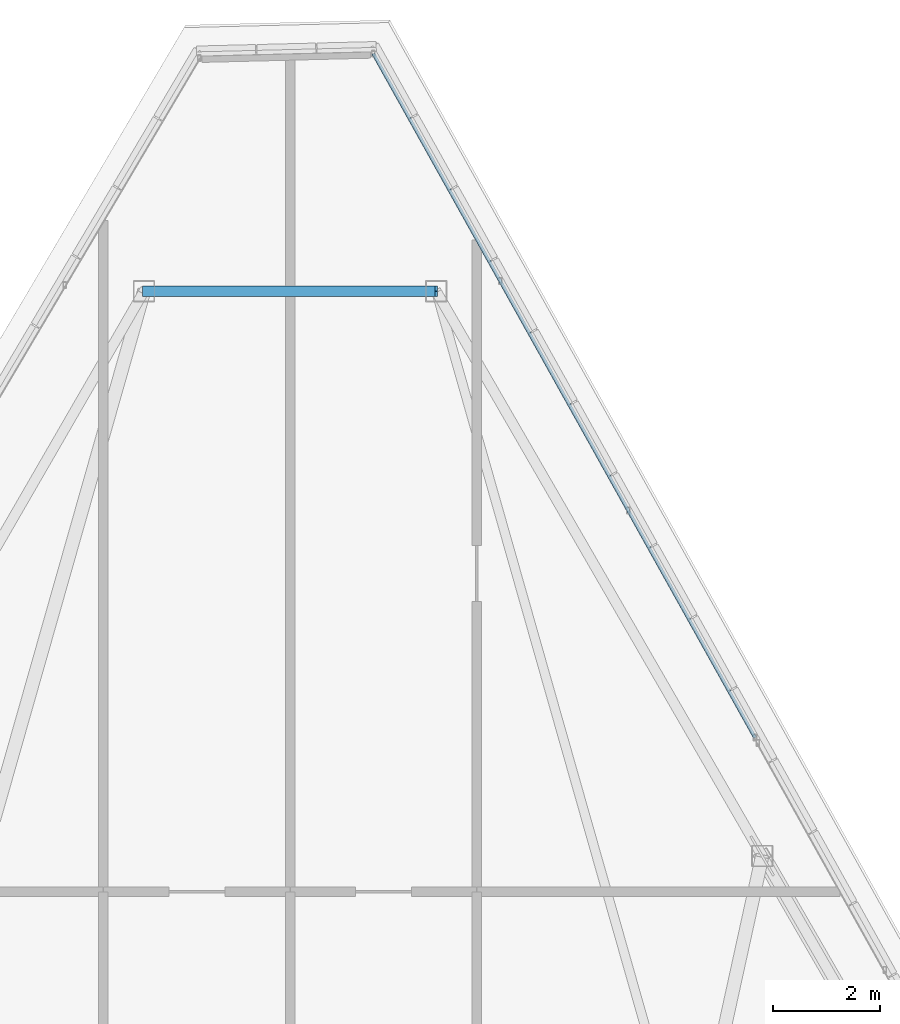
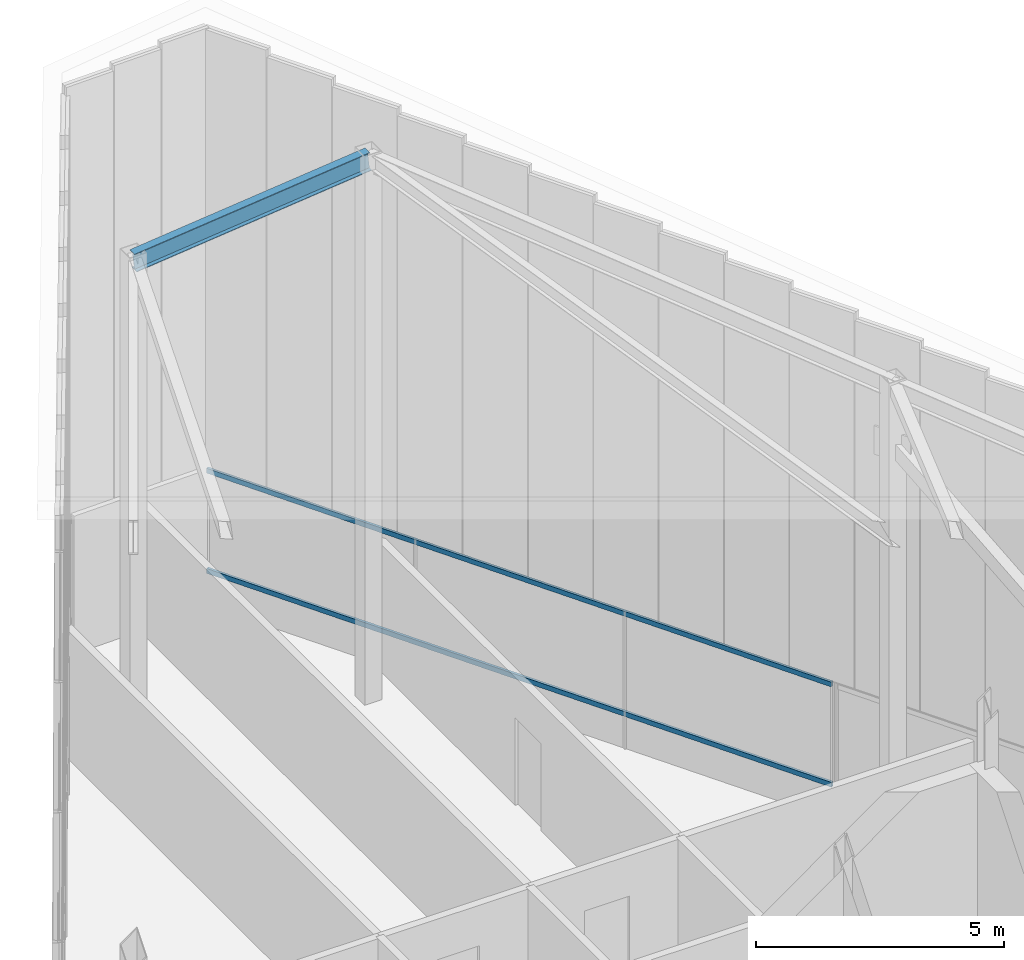
# One storey, part 41 of 50: 2 members, 1 beam, 1 element without a shape of its own.
"""IFC4 building model written with IfcOpenShell, lengths in metres."""

import ifcopenshell
import ifcopenshell.guid

model = None  # the IFC model being written
_history = None  # IfcOwnerHistory: only IFC2X3 demands one
_inside = {}  # id of a spatial element -> (the spatial element, [elements in it])
_under = {}  # id of a project, library or spatial element -> (it, [spatial elements below it])
_declared = {}  # id of a project -> (the project, [libraries it declares])
_typed = {}  # id of a type object -> (the type object, [elements of that type])
_made_of = {}  # id of a material, layer set ... -> (it, [elements and type objects made of it])


def new_model(schema):
    """Start an empty IFC model of exactly this schema.

    Asked for "IFC4X3", IfcOpenShell would pick the latest addendum, in which some entities
    have other attributes; the version numbers below select the first issue.
    IFC2X3 requires an IfcOwnerHistory on every rooted entity: one is made here for all.
    """
    global model, _history
    if schema == "IFC4X3":
        model = ifcopenshell.file(schema_version=(4, 3, 0, 0))
    else:
        model = ifcopenshell.file(schema=schema)
    _inside.clear()
    _under.clear()
    _declared.clear()
    _typed.clear()
    _made_of.clear()
    _history = None
    if model.schema == "IFC2X3":
        org = make("IfcOrganization", Name="unknown")
        user = make(
            "IfcPersonAndOrganization",
            ThePerson=make("IfcPerson", FamilyName="unknown"),
            TheOrganization=org,
        )
        app = make(
            "IfcApplication",
            ApplicationDeveloper=org,
            Version="unknown",
            ApplicationFullName="unknown",
            ApplicationIdentifier="unknown",
        )
        _history = make(
            "IfcOwnerHistory",
            OwningUser=user,
            OwningApplication=app,
            ChangeAction="ADDED",
            CreationDate=0,
        )
    return model


def make(cls, **values):
    """One entity of the class cls with the attributes given. An attribute that is None is left unset."""
    return model.create_entity(
        cls, **{name: value for name, value in values.items() if value is not None}
    )


def rooted(cls, **values):
    """An entity with a GlobalId (a new one), such as an element, a storey or a relation."""
    return make(cls, GlobalId=ifcopenshell.guid.new(), OwnerHistory=_history, **values)


def si_unit(unit_type, name, prefix=None):
    """IfcSIUnit, for example si_unit("LENGTHUNIT", "METRE", prefix="MILLI")."""
    return make("IfcSIUnit", UnitType=unit_type, Prefix=prefix, Name=name)


def assignment(units):
    """IfcUnitAssignment: the units of a project."""
    return None if units is None else make("IfcUnitAssignment", Units=units)


def point(xyz):
    """IfcCartesianPoint."""
    return None if xyz is None else make("IfcCartesianPoint", Coordinates=xyz)


def direction(xyz):
    """IfcDirection."""
    return None if xyz is None else make("IfcDirection", DirectionRatios=xyz)


def frame(location, z_axis=None, x_axis=None):
    """IfcAxis2Placement3D, a coordinate frame: its origin and axes. An axis left out is left unset."""
    return make(
        "IfcAxis2Placement3D",
        Location=point(location),
        Axis=direction(z_axis),
        RefDirection=direction(x_axis),
    )


def frame_2d(location, x_axis=None):
    """IfcAxis2Placement2D, a coordinate frame in the plane: its origin and x axis."""
    return make(
        "IfcAxis2Placement2D", Location=point(location), RefDirection=direction(x_axis)
    )


def origin():
    """The frame at (0, 0, 0) with its axes left unset."""
    return frame((0.0, 0.0, 0.0))


def origin_2d():
    """The frame at (0, 0) in the plane with its x axis left unset."""
    return frame_2d((0.0, 0.0))


def place(relative_to, where):
    """IfcLocalPlacement: puts the frame where relative to a parent placement (None: the world)."""
    return make(
        "IfcLocalPlacement", PlacementRelTo=relative_to, RelativePlacement=where
    )


def context(
    kind, dimensions, precision=None, world=None, true_north=None, identifier=None
):
    """IfcGeometricRepresentationContext, for example the 3D "Model" context."""
    return make(
        "IfcGeometricRepresentationContext",
        ContextIdentifier=identifier,
        ContextType=kind,
        CoordinateSpaceDimension=dimensions,
        Precision=precision,
        WorldCoordinateSystem=world,
        TrueNorth=true_north,
    )


def subcontext(parent, identifier, kind, view, scale=None):
    """IfcGeometricRepresentationSubContext, for example "Body" below "Model"."""
    return make(
        "IfcGeometricRepresentationSubContext",
        ContextIdentifier=identifier,
        ContextType=kind,
        ParentContext=parent,
        TargetScale=scale,
        TargetView=view,
    )


def project(units=None, contexts=None):
    """IfcProject with its units and contexts."""
    return rooted(
        "IfcProject",
        Name="project",
        RepresentationContexts=contexts,
        UnitsInContext=assignment(units),
    )


def spatial(cls, under=None, at=None, **own):
    """A site, building, storey or space (cls), placed at a placement, below another one or the project."""
    s = rooted(cls, ObjectPlacement=at, **own)
    if under is not None:
        _under.setdefault(under.id(), (under, []))[1].append(s)
    return s


def profile(cls, at=None, kind="AREA", **sizes):
    """A parametric profile (cls). Its sizes go by their IFC names, for example OverallWidth=200.0."""
    return make(cls, ProfileType=kind, Position=at, **sizes)


def hollow_rectangle(**sizes):
    """IfcRectangleHollowProfileDef."""
    return profile("IfcRectangleHollowProfileDef", **sizes)


def i_section(**sizes):
    """IfcIShapeProfileDef."""
    return profile("IfcIShapeProfileDef", **sizes)


def extrude(swept, where, along, depth):
    """IfcExtrudedAreaSolid: the profile swept, set in the frame where, extruded along a direction by depth."""
    return make(
        "IfcExtrudedAreaSolid",
        SweptArea=swept,
        Position=where,
        ExtrudedDirection=direction(along),
        Depth=depth,
    )


def shape(context_of_items, identifier, shape_type, items):
    """IfcShapeRepresentation: the items that make up one representation, for example the "Body"."""
    return make(
        "IfcShapeRepresentation",
        ContextOfItems=context_of_items,
        RepresentationIdentifier=identifier,
        RepresentationType=shape_type,
        Items=items,
    )


def source(mapping_origin, context_of_items, identifier, shape_type, items):
    """IfcRepresentationMap: a shape defined once, which mapped items show again and again."""
    return make(
        "IfcRepresentationMap",
        MappingOrigin=mapping_origin,
        MappedRepresentation=shape(context_of_items, identifier, shape_type, items),
    )


def transform(
    local_origin,
    x_axis=None,
    y_axis=None,
    z_axis=None,
    scale=None,
    scale2=None,
    scale3=None,
    uniform=True,
):
    """IfcCartesianTransformationOperator3D, or its non-uniform kind. x_axis, y_axis, z_axis: its Axis1, 2, 3."""
    if uniform:
        return make(
            "IfcCartesianTransformationOperator3D",
            Axis1=direction(x_axis),
            Axis2=direction(y_axis),
            LocalOrigin=point(local_origin),
            Scale=scale,
            Axis3=direction(z_axis),
        )
    return make(
        "IfcCartesianTransformationOperator3DnonUniform",
        Axis1=direction(x_axis),
        Axis2=direction(y_axis),
        LocalOrigin=point(local_origin),
        Scale=scale,
        Axis3=direction(z_axis),
        Scale2=scale2,
        Scale3=scale3,
    )


def mapped(mapping_source, mapping_target):
    """IfcMappedItem: shows the shape of a source again, moved by a transform."""
    return make(
        "IfcMappedItem", MappingSource=mapping_source, MappingTarget=mapping_target
    )


def material(Name=None, Category=None):
    """IfcMaterial."""
    return make("IfcMaterial", Name=Name, Category=Category)


def material_profile(
    of_material, cross_section, Name=None, Category=None, Priority=None
):
    """IfcMaterialProfile: a cross section and its material."""
    return make(
        "IfcMaterialProfile",
        Name=Name,
        Material=of_material,
        Profile=cross_section,
        Priority=Priority,
        Category=Category,
    )


def profile_set(profiles, Name=None, composite=None):
    """IfcMaterialProfileSet."""
    return make(
        "IfcMaterialProfileSet",
        Name=Name,
        MaterialProfiles=profiles,
        CompositeProfile=composite,
    )


def made_of(thing, what):
    """Note that an element or type object is made of a material, layer set ...; save() writes the relation."""
    if what is not None:
        _made_of.setdefault(what.id(), (what, []))[1].append(thing)
    return thing


def type_object(cls, material=None, **own):
    """A type object (cls), such as IfcWallType, which elements share."""
    return made_of(rooted(cls, **own), material)


def type_shapes(of_type, sources):
    """Give a type object the sources (RepresentationMaps) that its elements show as mapped items."""
    of_type.RepresentationMaps = sources


def element(
    cls,
    number,
    at=None,
    inside=None,
    cuts=None,
    type_object=None,
    material=None,
    context=None,
    identifier="Body",
    shape_type=None,
    held_by="IfcProductDefinitionShape",
    body=None,
    shapes=None,
    **own,
):
    """One element of the class cls, such as IfcWall. Its Tag is "e" and its number.

    at: its placement. inside: the storey or other place that contains it. cuts: it is an
    opening in that element (IfcRelVoidsElement). A single representation is given by context,
    identifier, shape_type and body (its items); several are given by shapes. held_by: the class
    of the entity that holds the representations. save() writes the other relations.
    """
    e = rooted(cls, Tag="e%d" % number, ObjectPlacement=at, **own)
    if body is not None:
        shapes = [shape(context, identifier, shape_type, body)]
    if shapes is not None:
        e.Representation = make(held_by, Representations=shapes)
    if inside is not None:
        _inside.setdefault(inside.id(), (inside, []))[1].append(e)
    if cuts is not None:
        rooted(
            "IfcRelVoidsElement", RelatingBuildingElement=cuts, RelatedOpeningElement=e
        )
    if type_object is not None:
        _typed.setdefault(type_object.id(), (type_object, []))[1].append(e)
    return made_of(e, material)


def aggregate(whole, parts):
    """IfcRelAggregates: a whole, such as a stair, and the parts it consists of."""
    return rooted("IfcRelAggregates", RelatingObject=whole, RelatedObjects=parts)


def save(model, path):
    """Write the relations noted so far, then the file.

    IfcRelAggregates (storeys below a building ...), IfcRelContainedInSpatialStructure (elements
    in a storey), IfcRelDefinesByType, IfcRelAssociatesMaterial and IfcRelDeclares: one each for
    every whole, place, type object, material and project.
    """
    for whole, parts in _under.values():
        aggregate(whole, parts)
    for where, things in _inside.values():
        rooted(
            "IfcRelContainedInSpatialStructure",
            RelatedElements=things,
            RelatingStructure=where,
        )
    for kind, things in _typed.values():
        rooted("IfcRelDefinesByType", RelatedObjects=things, RelatingType=kind)
    for what, things in _made_of.values():
        rooted("IfcRelAssociatesMaterial", RelatedObjects=things, RelatingMaterial=what)
    for by, libraries in _declared.values():
        rooted("IfcRelDeclares", RelatingContext=by, RelatedDefinitions=libraries)
    model.write(path)


model = new_model("IFC4")

# Units and contexts
model_context = context("Model", 3, precision=1e-05, world=origin(), true_north=direction((0.0, 1.0)))
body_context = subcontext(model_context, "Body", "Model", "MODEL_VIEW")
ifc_project = project(units=[si_unit("LENGTHUNIT", "METRE"), si_unit("AREAUNIT", "SQUARE_METRE"), si_unit("VOLUMEUNIT", "CUBIC_METRE"), si_unit("PLANEANGLEUNIT", "RADIAN"), si_unit("MASSUNIT", "GRAM", prefix="KILO")], contexts=[model_context])

# Site, building, storey
site_placement = place(None, origin())
site = spatial("IfcSite", under=ifc_project, at=site_placement, CompositionType="ELEMENT")
building_placement = place(site_placement, origin())
building = spatial("IfcBuilding", under=site, at=building_placement, Name="Caelisora Broadcast Tower", CompositionType="ELEMENT")
storey_placement = place(building_placement, frame((0.0, 0.0, 303.39990234375)))
storey = spatial("IfcBuildingStorey", under=building, at=storey_placement, Name="L80", CompositionType="ELEMENT", Elevation=303.39990234375)

# Beam
ifc_material_1 = material(Name="Steel Grade 350 (AS/NZS 3679.1)", Category="steel")
ifc_material_profile_1 = material_profile(ifc_material_1, i_section(OverallWidth=0.19091796875, OverallDepth=0.46044921875, WebThickness=0.010009765625, FlangeThickness=0.01611328125, at=origin_2d()), Name="Steel Grade 350 (AS/NZS 3679.1)")
ifc_profile_set_1 = profile_set([ifc_material_profile_1], Name="Steel Grade 350 (AS/NZS 3679.1)")
beam_type = type_object("IfcBeamType", Name="RB01", PredefinedType="USERDEFINED", material=ifc_profile_set_1)
shared_shape_1 = source(origin(), body_context, "Body", "SweptSolid", [
    extrude(i_section(OverallWidth=0.19091796875, OverallDepth=0.46044921875, WebThickness=0.010009765625, FlangeThickness=0.01611328125, at=origin_2d()), origin(), (0.0, 0.0, 1.0), 5.509033203125),
])
type_shapes(beam_type, [shared_shape_1])
beam_placement = place(storey_placement, frame((40.73876953125, 46.756103515625, 13.2705078125), z_axis=(-0.994270864406, 4.431587e-05, -0.106889878987), x_axis=(-4.4571225e-05, -0.999999999007, 0.0)))
element("IfcBeam", 1, at=beam_placement, inside=storey, type_object=beam_type, Name="L80 beam RB01", ObjectType="RAFTER", PredefinedType="USERDEFINED", context=body_context, shape_type="MappedRepresentation", body=[
    mapped(shared_shape_1, transform((0.0, 0.0, 0.0), scale=1.0)),
])

# Curtain wall, members
ifc_material_2 = material(Name="Unitised Aluminium Insulated Shadow-Box Spandrel Curtain Wall", Category="aluminium")
curtain_wall_type = type_object("IfcCurtainWallType", Name="CW-SP3", PredefinedType="NOTDEFINED", material=ifc_material_2)
curtain_wall_placement = place(storey_placement, origin())
curtain_wall = element("IfcCurtainWall", 2, at=curtain_wall_placement, inside=storey, type_object=curtain_wall_type, Name="L80 curtain wall CW-SP3", PredefinedType="NOTDEFINED")
ifc_material_3 = material(Name="Aluminium 6063-T6 Anodised Terracotta Bronze", Category="aluminium")
ifc_material_profile_2 = material_profile(ifc_material_3, hollow_rectangle(XDim=0.06005859375, YDim=0.1201171875, WallThickness=0.0029296875, at=origin_2d()), Name="Aluminium 6063-T6 Anodised Terracotta Bronze")
ifc_profile_set_2 = profile_set([ifc_material_profile_2], Name="Aluminium 6063-T6 Anodised Terracotta Bronze")
member_type = type_object("IfcMemberType", Name="CWT-03", PredefinedType="USERDEFINED", material=ifc_profile_set_2)
shared_shape_2 = source(origin(), body_context, "Body", "SweptSolid", [
    extrude(hollow_rectangle(XDim=0.06005859375, YDim=0.1201171875, WallThickness=0.0029296875, at=origin_2d()), origin(), (0.0, 0.0, 1.0), 14.688720703125),
])
type_shapes(member_type, [shared_shape_2])
member_1_placement = place(storey_placement, frame((39.559326171875, 51.21337890625, 0.85009765625), z_axis=(0.487263591842, -0.873254941048, 0.0), x_axis=(0.873254941048, 0.487263591842, 0.0)))
member_1 = element("IfcMember", 3, at=member_1_placement, type_object=member_type, Name="L80-CW-B01 transom #1", ObjectType="TRANSOM", PredefinedType="USERDEFINED", context=body_context, shape_type="MappedRepresentation", body=[
    mapped(shared_shape_2, transform((0.0, 0.0, 0.0), scale=1.0)),
])
member_2_placement = place(storey_placement, frame((39.559326171875, 51.21337890625, 3.320068359375), z_axis=(0.487263591842, -0.873254941048, 0.0), x_axis=(0.873254941048, 0.487263591842, 0.0)))
member_2 = element("IfcMember", 4, at=member_2_placement, type_object=member_type, Name="L80-CW-B01 transom #2", ObjectType="TRANSOM", PredefinedType="USERDEFINED", context=body_context, shape_type="MappedRepresentation", body=[
    mapped(shared_shape_2, transform((0.0, 0.0, 0.0), scale=1.0)),
])
aggregate(curtain_wall, [member_1, member_2])

save(model, "model.ifc")
